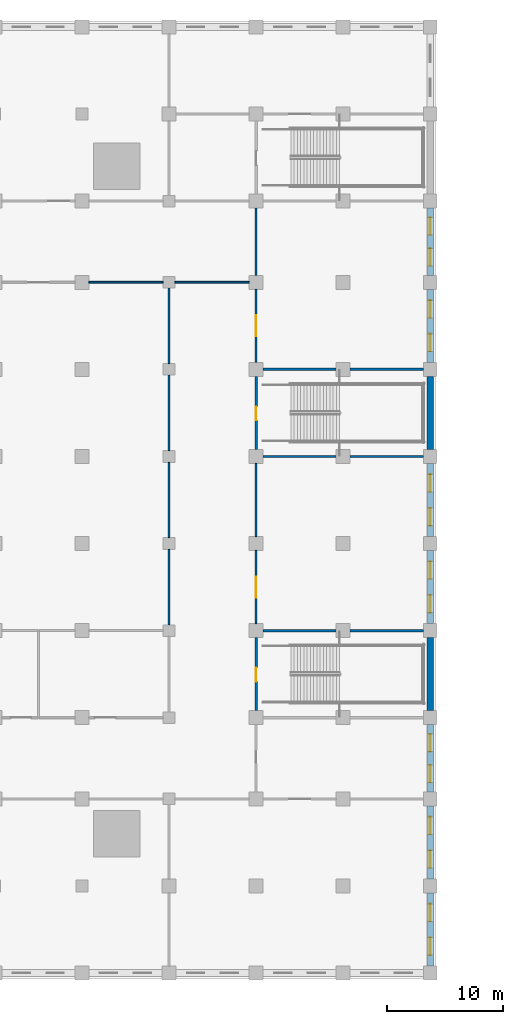
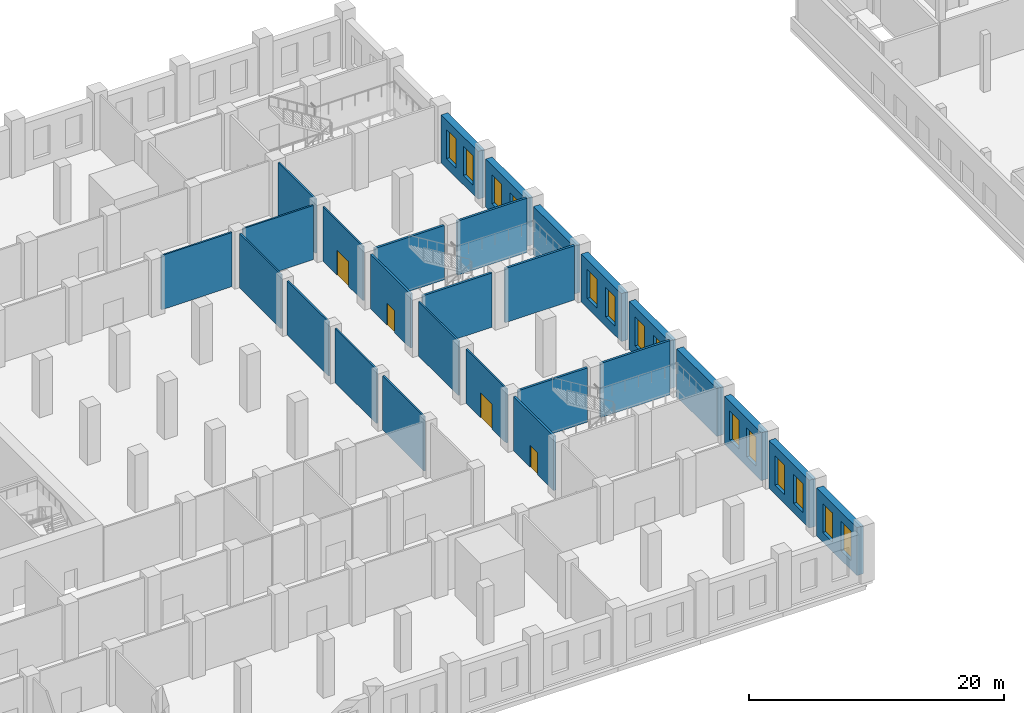
# One storey, part 8 of 25: 27 walls, 14 windows, 4 doors, 18 openings.
"""IFC4 building model written with IfcOpenShell, lengths in metres."""

from ifc_helpers import new_model, si_unit, direction, frame, frame_2d, origin, place, context, subcontext, project, spatial, rectangle, extrude, material, layer, layer_set, type_object, element, fill, save


model = new_model("IFC4")

# Units and contexts
model_context = context("Model", 3, precision=1e-05, world=origin(), true_north=direction((0.0, 1.0)))
body_context = subcontext(model_context, "Body", "Model", "MODEL_VIEW")
ifc_project = project(units=[si_unit("LENGTHUNIT", "METRE"), si_unit("AREAUNIT", "SQUARE_METRE"), si_unit("VOLUMEUNIT", "CUBIC_METRE"), si_unit("PLANEANGLEUNIT", "RADIAN"), si_unit("MASSUNIT", "GRAM", prefix="KILO")], contexts=[model_context])

# Site, building, storey
site_placement = place(None, origin())
site = spatial("IfcSite", under=ifc_project, at=site_placement, CompositionType="ELEMENT")
building_placement = place(site_placement, origin())
building = spatial("IfcBuilding", under=site, at=building_placement, Name="Tamorin Gate", CompositionType="ELEMENT")
storey_placement = place(building_placement, frame((0.0, 0.0, 23.5)))
storey = spatial("IfcBuildingStorey", under=building, at=storey_placement, Name="L04", CompositionType="ELEMENT", Elevation=23.5)

# Walls
ifc_material_1 = material(Name="Concrete masonry C20/25", Category="masonry")
ifc_layer_1 = layer(ifc_material_1, 0.14990234375)
ifc_layer_set_1 = layer_set([ifc_layer_1], Name="Partition 150")
wall_type_1 = type_object("IfcWallType", Name="Partition 150", PredefinedType="PARTITIONING", material=ifc_layer_set_1)
for number, where, z_axis, x_axis, name in (
    (1, (82.60009765625, 90.0, 0.0), (0.0, 0.0, 1.0), (1.0, 0.0, 0.0), "Partition 150 L04"),
    (2, (90.0, 90.0, 0.0), (0.0, 0.0, 1.0), (1.0, 0.0, 0.0), "Partition 150 L04"),
):
    element("IfcWall", number, at=place(storey_placement, frame(where, z_axis=z_axis, x_axis=x_axis)), inside=storey, type_object=wall_type_1, Name=name, PredefinedType="PARTITIONING", context=body_context, shape_type="SweptSolid", body=[
        extrude(rectangle(XDim=6.39990234375, YDim=0.14990234375, at=frame_2d((3.199951171875, 0.0))), origin(), (0.0, 0.0, 1.0), 5.199951171875),
    ])

# Wall, opening, door
wall_1_placement = place(storey_placement, frame((97.0, 60.60009765625, 0.0), z_axis=(0.0, 0.0, 1.0), x_axis=(0.0, 1.0, 0.0)))
wall_1 = element("IfcWall", 3, at=wall_1_placement, inside=storey, type_object=wall_type_1, Name="Partition 150 L04", PredefinedType="PARTITIONING", context=body_context, shape_type="SweptSolid", body=[
    extrude(rectangle(XDim=6.2998046875, YDim=0.14990234375, at=frame_2d((3.14990234375, 0.0))), origin(), (0.0, 0.0, 1.0), 5.199951171875),
])
opening_1_placement = place(wall_1_placement, frame((2.25, 0.0, 0.0)))
opening_1 = element("IfcOpeningElement", 4, at=opening_1_placement, cuts=wall_1, Name="Opening DP3", PredefinedType="OPENING", context=body_context, shape_type="SweptSolid", body=[
    extrude(rectangle(XDim=1.800048828125, YDim=2.39990234375, at=frame_2d((0.89990234375, 1.199951171875))), frame((0.0, 0.0849609375, 0.0), z_axis=(0.0, -1.0, 0.0), x_axis=(1.0, 0.0, 0.0)), (0.0, 0.0, 1.0), 0.169921875),
])
ifc_material_2 = material(Name="Steel and glass", Category="steel")
door_type_1 = type_object("IfcDoorType", Name="Door pair 1800", OperationType="DOUBLE_DOOR_SINGLE_SWING", PredefinedType="DOOR", material=ifc_material_2)
door_1_placement = place(opening_1_placement, origin())
door_1 = element("IfcDoor", 5, at=door_1_placement, inside=storey, type_object=door_type_1, Name="Door pair 1800 L04", OperationType="SINGLE_SWING_LEFT", OverallHeight=2.39990234375, OverallWidth=1.800048828125, PredefinedType="DOOR", context=body_context, shape_type="SweptSolid", body=[
    extrude(rectangle(XDim=1.800048828125, YDim=2.39990234375, at=frame_2d((0.89990234375, 1.199951171875))), frame((0.0, 0.02490234375, 0.0), z_axis=(0.0, -1.0, 0.0), x_axis=(1.0, 0.0, 0.0)), (0.0, 0.0, 1.0), 0.050048828125),
])
fill(opening_1, door_1)

# Wall
wall_2_placement = place(storey_placement, frame((97.0, 68.10009765625, 0.0), z_axis=(0.0, 0.0, 1.0), x_axis=(0.0, 1.0, 0.0)))
element("IfcWall", 6, at=wall_2_placement, inside=storey, type_object=wall_type_1, Name="Partition 150 L04", PredefinedType="PARTITIONING", context=body_context, shape_type="SweptSolid", body=[
    extrude(rectangle(XDim=6.2998046875, YDim=0.14990234375, at=frame_2d((3.14990234375, 0.0))), origin(), (0.0, 0.0, 1.0), 5.199951171875),
])

# Wall, opening, door
wall_3_placement = place(storey_placement, frame((97.0, 83.10009765625, 0.0), z_axis=(0.0, 0.0, 1.0), x_axis=(0.0, 1.0, 0.0)))
wall_3 = element("IfcWall", 7, at=wall_3_placement, inside=storey, type_object=wall_type_1, Name="Partition 150 L04", PredefinedType="PARTITIONING", context=body_context, shape_type="SweptSolid", body=[
    extrude(rectangle(XDim=6.2998046875, YDim=0.14990234375, at=frame_2d((3.14990234375, 0.0))), origin(), (0.0, 0.0, 1.0), 5.199951171875),
])
opening_2_placement = place(wall_3_placement, frame((2.25, 0.0, 0.0)))
opening_2 = element("IfcOpeningElement", 8, at=opening_2_placement, cuts=wall_3, Name="Opening DP3", PredefinedType="OPENING", context=body_context, shape_type="SweptSolid", body=[
    extrude(rectangle(XDim=1.800048828125, YDim=2.39990234375, at=frame_2d((0.89990234375, 1.199951171875))), frame((0.0, 0.0849609375, 0.0), z_axis=(0.0, -1.0, 0.0), x_axis=(1.0, 0.0, 0.0)), (0.0, 0.0, 1.0), 0.169921875),
])
door_2_placement = place(opening_2_placement, origin())
door_2 = element("IfcDoor", 9, at=door_2_placement, inside=storey, type_object=door_type_1, Name="Door pair 1800 L04", OperationType="SINGLE_SWING_LEFT", OverallHeight=2.39990234375, OverallWidth=1.800048828125, PredefinedType="DOOR", context=body_context, shape_type="SweptSolid", body=[
    extrude(rectangle(XDim=1.800048828125, YDim=2.39990234375, at=frame_2d((0.89990234375, 1.199951171875))), frame((0.0, 0.02490234375, 0.0), z_axis=(0.0, -1.0, 0.0), x_axis=(1.0, 0.0, 0.0)), (0.0, 0.0, 1.0), 0.050048828125),
])
fill(opening_2, door_2)

# Walls
wall_4_placement = place(storey_placement, frame((97.0, 90.60009765625, 0.0), z_axis=(0.0, 0.0, 1.0), x_axis=(0.0, 1.0, 0.0)))
element("IfcWall", 10, at=wall_4_placement, inside=storey, type_object=wall_type_1, Name="Partition 150 L04", PredefinedType="PARTITIONING", context=body_context, shape_type="SweptSolid", body=[
    extrude(rectangle(XDim=5.7998046875, YDim=0.14990234375, at=frame_2d((2.89990234375, 0.0))), origin(), (0.0, 0.0, 1.0), 5.199951171875),
])
for number, where, z_axis, x_axis, name in (
    (11, (89.5, 60.5, 0.0), (0.0, 0.0, 1.0), (0.0, 1.0, 0.0), "Partition 150 L04"),
    (12, (89.5, 68.0, 0.0), (0.0, 0.0, 1.0), (0.0, 1.0, 0.0), "Partition 150 L04"),
    (13, (89.5, 75.5, 0.0), (0.0, 0.0, 1.0), (0.0, 1.0, 0.0), "Partition 150 L04"),
    (14, (89.5, 83.0, 0.0), (0.0, 0.0, 1.0), (0.0, 1.0, 0.0), "Partition 150 L04"),
):
    element("IfcWall", number, at=place(storey_placement, frame(where, z_axis=z_axis, x_axis=x_axis)), inside=storey, type_object=wall_type_1, Name=name, PredefinedType="PARTITIONING", context=body_context, shape_type="SweptSolid", body=[
        extrude(rectangle(XDim=6.5, YDim=0.14990234375, at=frame_2d((3.25, 0.0))), origin(), (0.0, 0.0, 1.0), 5.199951171875),
    ])

# Wall, openings, windows
ifc_material_3 = material(Name="Precast concrete C40/50", Category="concrete")
ifc_layer_2 = layer(ifc_material_3, 0.60009765625)
ifc_layer_set_2 = layer_set([ifc_layer_2], Name="Precast concrete C40/50")
wall_type_2 = type_object("IfcWallType", Name="Precast plinth wall 600", PredefinedType="PARTITIONING", material=ifc_layer_set_2)
wall_5_placement = place(storey_placement, frame((112.0, 31.10009765625, 0.0), z_axis=(0.0, 0.0, 1.0), x_axis=(0.0, 1.0, 0.0)))
wall_5 = element("IfcWall", 15, at=wall_5_placement, inside=storey, type_object=wall_type_2, Name="Precast plinth wall 600 L04", PredefinedType="PARTITIONING", context=body_context, shape_type="SweptSolid", body=[
    extrude(rectangle(XDim=6.2998046875, YDim=0.60009765625, at=frame_2d((3.14990234375, 0.0))), origin(), (0.0, 0.0, 1.0), 4.60009765625),
])
opening_3_placement = place(wall_5_placement, frame((0.950927734375, 0.0, 0.89990234375)))
opening_3 = element("IfcOpeningElement", 16, at=opening_3_placement, cuts=wall_5, Name="Opening PWN5", PredefinedType="OPENING", context=body_context, shape_type="SweptSolid", body=[
    extrude(rectangle(XDim=1.5, YDim=2.800048828125, at=frame_2d((0.75, 1.39990234375))), frame((0.0, 0.31005859375, 0.0), z_axis=(0.0, -1.0, 0.0), x_axis=(1.0, 0.0, 0.0)), (0.0, 0.0, 1.0), 0.6201171875),
])
opening_4_placement = place(wall_5_placement, frame((3.84912109375, 0.0, 0.89990234375)))
opening_4 = element("IfcOpeningElement", 17, at=opening_4_placement, cuts=wall_5, Name="Opening PWN5", PredefinedType="OPENING", context=body_context, shape_type="SweptSolid", body=[
    extrude(rectangle(XDim=1.5, YDim=2.800048828125, at=frame_2d((0.75, 1.39990234375))), frame((0.0, 0.31005859375, 0.0), z_axis=(0.0, -1.0, 0.0), x_axis=(1.0, 0.0, 0.0)), (0.0, 0.0, 1.0), 0.6201171875),
])
ifc_material_4 = material(Name="Aluminium and glass", Category="aluminium")
window_type = type_object("IfcWindowType", Name="Plinth window 1500x2800", PartitioningType="DOUBLE_PANEL_VERTICAL", PredefinedType="WINDOW", material=ifc_material_4)
window_1_placement = place(opening_3_placement, origin())
window_1 = element("IfcWindow", 18, at=window_1_placement, inside=storey, type_object=window_type, Name="Plinth window 1500x2800", OverallHeight=2.800048828125, OverallWidth=1.5, PartitioningType="SINGLE_PANEL", PredefinedType="WINDOW", context=body_context, shape_type="SweptSolid", body=[
    extrude(rectangle(XDim=1.5, YDim=2.800048828125, at=frame_2d((0.75, 1.39990234375))), frame((0.0, 0.030029296875, 0.0), z_axis=(0.0, -1.0, 0.0), x_axis=(1.0, 0.0, 0.0)), (0.0, 0.0, 1.0), 0.06005859375),
])
fill(opening_3, window_1)
window_2_placement = place(opening_4_placement, origin())
window_2 = element("IfcWindow", 19, at=window_2_placement, inside=storey, type_object=window_type, Name="Plinth window 1500x2800", OverallHeight=2.800048828125, OverallWidth=1.5, PartitioningType="SINGLE_PANEL", PredefinedType="WINDOW", context=body_context, shape_type="SweptSolid", body=[
    extrude(rectangle(XDim=1.5, YDim=2.800048828125, at=frame_2d((0.75, 1.39990234375))), frame((0.0, 0.030029296875, 0.0), z_axis=(0.0, -1.0, 0.0), x_axis=(1.0, 0.0, 0.0)), (0.0, 0.0, 1.0), 0.06005859375),
])
fill(opening_4, window_2)

wall_6_placement = place(storey_placement, frame((112.0, 38.60009765625, 0.0), z_axis=(0.0, 0.0, 1.0), x_axis=(0.0, 1.0, 0.0)))
wall_6 = element("IfcWall", 20, at=wall_6_placement, inside=storey, type_object=wall_type_2, Name="Precast plinth wall 600 L04", PredefinedType="PARTITIONING", context=body_context, shape_type="SweptSolid", body=[
    extrude(rectangle(XDim=6.2998046875, YDim=0.60009765625, at=frame_2d((3.14990234375, 0.0))), origin(), (0.0, 0.0, 1.0), 4.60009765625),
])
opening_5_placement = place(wall_6_placement, frame((0.950927734375, 0.0, 0.89990234375)))
opening_5 = element("IfcOpeningElement", 21, at=opening_5_placement, cuts=wall_6, Name="Opening PWN5", PredefinedType="OPENING", context=body_context, shape_type="SweptSolid", body=[
    extrude(rectangle(XDim=1.5, YDim=2.800048828125, at=frame_2d((0.75, 1.39990234375))), frame((0.0, 0.31005859375, 0.0), z_axis=(0.0, -1.0, 0.0), x_axis=(1.0, 0.0, 0.0)), (0.0, 0.0, 1.0), 0.6201171875),
])
opening_6_placement = place(wall_6_placement, frame((3.84912109375, 0.0, 0.89990234375)))
opening_6 = element("IfcOpeningElement", 22, at=opening_6_placement, cuts=wall_6, Name="Opening PWN5", PredefinedType="OPENING", context=body_context, shape_type="SweptSolid", body=[
    extrude(rectangle(XDim=1.5, YDim=2.800048828125, at=frame_2d((0.75, 1.39990234375))), frame((0.0, 0.31005859375, 0.0), z_axis=(0.0, -1.0, 0.0), x_axis=(1.0, 0.0, 0.0)), (0.0, 0.0, 1.0), 0.6201171875),
])
window_3_placement = place(opening_5_placement, origin())
window_3 = element("IfcWindow", 23, at=window_3_placement, inside=storey, type_object=window_type, Name="Plinth window 1500x2800", OverallHeight=2.800048828125, OverallWidth=1.5, PartitioningType="SINGLE_PANEL", PredefinedType="WINDOW", context=body_context, shape_type="SweptSolid", body=[
    extrude(rectangle(XDim=1.5, YDim=2.800048828125, at=frame_2d((0.75, 1.39990234375))), frame((0.0, 0.030029296875, 0.0), z_axis=(0.0, -1.0, 0.0), x_axis=(1.0, 0.0, 0.0)), (0.0, 0.0, 1.0), 0.06005859375),
])
fill(opening_5, window_3)
window_4_placement = place(opening_6_placement, origin())
window_4 = element("IfcWindow", 24, at=window_4_placement, inside=storey, type_object=window_type, Name="Plinth window 1500x2800", OverallHeight=2.800048828125, OverallWidth=1.5, PartitioningType="SINGLE_PANEL", PredefinedType="WINDOW", context=body_context, shape_type="SweptSolid", body=[
    extrude(rectangle(XDim=1.5, YDim=2.800048828125, at=frame_2d((0.75, 1.39990234375))), frame((0.0, 0.030029296875, 0.0), z_axis=(0.0, -1.0, 0.0), x_axis=(1.0, 0.0, 0.0)), (0.0, 0.0, 1.0), 0.06005859375),
])
fill(opening_6, window_4)

wall_7_placement = place(storey_placement, frame((112.0, 46.10009765625, 0.0), z_axis=(0.0, 0.0, 1.0), x_axis=(0.0, 1.0, 0.0)))
wall_7 = element("IfcWall", 25, at=wall_7_placement, inside=storey, type_object=wall_type_2, Name="Precast plinth wall 600 L04", PredefinedType="PARTITIONING", context=body_context, shape_type="SweptSolid", body=[
    extrude(rectangle(XDim=5.7998046875, YDim=0.60009765625, at=frame_2d((2.89990234375, 0.0))), origin(), (0.0, 0.0, 1.0), 4.60009765625),
])
opening_7_placement = place(wall_7_placement, frame((0.81591796875, 0.0, 0.89990234375)))
opening_7 = element("IfcOpeningElement", 26, at=opening_7_placement, cuts=wall_7, Name="Opening PWN5", PredefinedType="OPENING", context=body_context, shape_type="SweptSolid", body=[
    extrude(rectangle(XDim=1.5, YDim=2.800048828125, at=frame_2d((0.75, 1.39990234375))), frame((0.0, 0.31005859375, 0.0), z_axis=(0.0, -1.0, 0.0), x_axis=(1.0, 0.0, 0.0)), (0.0, 0.0, 1.0), 0.6201171875),
])
opening_8_placement = place(wall_7_placement, frame((3.48388671875, 0.0, 0.89990234375)))
opening_8 = element("IfcOpeningElement", 27, at=opening_8_placement, cuts=wall_7, Name="Opening PWN5", PredefinedType="OPENING", context=body_context, shape_type="SweptSolid", body=[
    extrude(rectangle(XDim=1.5, YDim=2.800048828125, at=frame_2d((0.75, 1.39990234375))), frame((0.0, 0.31005859375, 0.0), z_axis=(0.0, -1.0, 0.0), x_axis=(1.0, 0.0, 0.0)), (0.0, 0.0, 1.0), 0.6201171875),
])
window_5_placement = place(opening_7_placement, origin())
window_5 = element("IfcWindow", 28, at=window_5_placement, inside=storey, type_object=window_type, Name="Plinth window 1500x2800", OverallHeight=2.800048828125, OverallWidth=1.5, PartitioningType="SINGLE_PANEL", PredefinedType="WINDOW", context=body_context, shape_type="SweptSolid", body=[
    extrude(rectangle(XDim=1.5, YDim=2.800048828125, at=frame_2d((0.75, 1.39990234375))), frame((0.0, 0.030029296875, 0.0), z_axis=(0.0, -1.0, 0.0), x_axis=(1.0, 0.0, 0.0)), (0.0, 0.0, 1.0), 0.06005859375),
])
fill(opening_7, window_5)
window_6_placement = place(opening_8_placement, origin())
window_6 = element("IfcWindow", 29, at=window_6_placement, inside=storey, type_object=window_type, Name="Plinth window 1500x2800", OverallHeight=2.800048828125, OverallWidth=1.5, PartitioningType="SINGLE_PANEL", PredefinedType="WINDOW", context=body_context, shape_type="SweptSolid", body=[
    extrude(rectangle(XDim=1.5, YDim=2.800048828125, at=frame_2d((0.75, 1.39990234375))), frame((0.0, 0.030029296875, 0.0), z_axis=(0.0, -1.0, 0.0), x_axis=(1.0, 0.0, 0.0)), (0.0, 0.0, 1.0), 0.06005859375),
])
fill(opening_8, window_6)

# Wall
wall_8_placement = place(storey_placement, frame((112.0, 53.10009765625, 0.0), z_axis=(0.0, 0.0, 1.0), x_axis=(0.0, 1.0, 0.0)))
element("IfcWall", 30, at=wall_8_placement, inside=storey, type_object=wall_type_2, Name="Precast plinth wall 600 L04", PredefinedType="PARTITIONING", context=body_context, shape_type="SweptSolid", body=[
    extrude(rectangle(XDim=6.2998046875, YDim=0.60009765625, at=frame_2d((3.14990234375, 0.0))), origin(), (0.0, 0.0, 1.0), 4.60009765625),
])

# Wall, openings, windows
wall_9_placement = place(storey_placement, frame((112.0, 60.60009765625, 0.0), z_axis=(0.0, 0.0, 1.0), x_axis=(0.0, 1.0, 0.0)))
wall_9 = element("IfcWall", 31, at=wall_9_placement, inside=storey, type_object=wall_type_2, Name="Precast plinth wall 600 L04", PredefinedType="PARTITIONING", context=body_context, shape_type="SweptSolid", body=[
    extrude(rectangle(XDim=6.2998046875, YDim=0.60009765625, at=frame_2d((3.14990234375, 0.0))), origin(), (0.0, 0.0, 1.0), 4.60009765625),
])
opening_9_placement = place(wall_9_placement, frame((0.950927734375, 0.0, 0.89990234375)))
opening_9 = element("IfcOpeningElement", 32, at=opening_9_placement, cuts=wall_9, Name="Opening PWN5", PredefinedType="OPENING", context=body_context, shape_type="SweptSolid", body=[
    extrude(rectangle(XDim=1.5, YDim=2.800048828125, at=frame_2d((0.75, 1.39990234375))), frame((0.0, 0.31005859375, 0.0), z_axis=(0.0, -1.0, 0.0), x_axis=(1.0, 0.0, 0.0)), (0.0, 0.0, 1.0), 0.6201171875),
])
opening_10_placement = place(wall_9_placement, frame((3.84912109375, 0.0, 0.89990234375)))
opening_10 = element("IfcOpeningElement", 33, at=opening_10_placement, cuts=wall_9, Name="Opening PWN5", PredefinedType="OPENING", context=body_context, shape_type="SweptSolid", body=[
    extrude(rectangle(XDim=1.5, YDim=2.800048828125, at=frame_2d((0.75, 1.39990234375))), frame((0.0, 0.31005859375, 0.0), z_axis=(0.0, -1.0, 0.0), x_axis=(1.0, 0.0, 0.0)), (0.0, 0.0, 1.0), 0.6201171875),
])
window_7_placement = place(opening_9_placement, origin())
window_7 = element("IfcWindow", 34, at=window_7_placement, inside=storey, type_object=window_type, Name="Plinth window 1500x2800", OverallHeight=2.800048828125, OverallWidth=1.5, PartitioningType="SINGLE_PANEL", PredefinedType="WINDOW", context=body_context, shape_type="SweptSolid", body=[
    extrude(rectangle(XDim=1.5, YDim=2.800048828125, at=frame_2d((0.75, 1.39990234375))), frame((0.0, 0.030029296875, 0.0), z_axis=(0.0, -1.0, 0.0), x_axis=(1.0, 0.0, 0.0)), (0.0, 0.0, 1.0), 0.06005859375),
])
fill(opening_9, window_7)
window_8_placement = place(opening_10_placement, origin())
window_8 = element("IfcWindow", 35, at=window_8_placement, inside=storey, type_object=window_type, Name="Plinth window 1500x2800", OverallHeight=2.800048828125, OverallWidth=1.5, PartitioningType="SINGLE_PANEL", PredefinedType="WINDOW", context=body_context, shape_type="SweptSolid", body=[
    extrude(rectangle(XDim=1.5, YDim=2.800048828125, at=frame_2d((0.75, 1.39990234375))), frame((0.0, 0.030029296875, 0.0), z_axis=(0.0, -1.0, 0.0), x_axis=(1.0, 0.0, 0.0)), (0.0, 0.0, 1.0), 0.06005859375),
])
fill(opening_10, window_8)

wall_10_placement = place(storey_placement, frame((112.0, 68.10009765625, 0.0), z_axis=(0.0, 0.0, 1.0), x_axis=(0.0, 1.0, 0.0)))
wall_10 = element("IfcWall", 36, at=wall_10_placement, inside=storey, type_object=wall_type_2, Name="Precast plinth wall 600 L04", PredefinedType="PARTITIONING", context=body_context, shape_type="SweptSolid", body=[
    extrude(rectangle(XDim=6.2998046875, YDim=0.60009765625, at=frame_2d((3.14990234375, 0.0))), origin(), (0.0, 0.0, 1.0), 4.60009765625),
])
opening_11_placement = place(wall_10_placement, frame((0.950927734375, 0.0, 0.89990234375)))
opening_11 = element("IfcOpeningElement", 37, at=opening_11_placement, cuts=wall_10, Name="Opening PWN5", PredefinedType="OPENING", context=body_context, shape_type="SweptSolid", body=[
    extrude(rectangle(XDim=1.5, YDim=2.800048828125, at=frame_2d((0.75, 1.39990234375))), frame((0.0, 0.31005859375, 0.0), z_axis=(0.0, -1.0, 0.0), x_axis=(1.0, 0.0, 0.0)), (0.0, 0.0, 1.0), 0.6201171875),
])
opening_12_placement = place(wall_10_placement, frame((3.84912109375, 0.0, 0.89990234375)))
opening_12 = element("IfcOpeningElement", 38, at=opening_12_placement, cuts=wall_10, Name="Opening PWN5", PredefinedType="OPENING", context=body_context, shape_type="SweptSolid", body=[
    extrude(rectangle(XDim=1.5, YDim=2.800048828125, at=frame_2d((0.75, 1.39990234375))), frame((0.0, 0.31005859375, 0.0), z_axis=(0.0, -1.0, 0.0), x_axis=(1.0, 0.0, 0.0)), (0.0, 0.0, 1.0), 0.6201171875),
])
window_9_placement = place(opening_11_placement, origin())
window_9 = element("IfcWindow", 39, at=window_9_placement, inside=storey, type_object=window_type, Name="Plinth window 1500x2800", OverallHeight=2.800048828125, OverallWidth=1.5, PartitioningType="SINGLE_PANEL", PredefinedType="WINDOW", context=body_context, shape_type="SweptSolid", body=[
    extrude(rectangle(XDim=1.5, YDim=2.800048828125, at=frame_2d((0.75, 1.39990234375))), frame((0.0, 0.030029296875, 0.0), z_axis=(0.0, -1.0, 0.0), x_axis=(1.0, 0.0, 0.0)), (0.0, 0.0, 1.0), 0.06005859375),
])
fill(opening_11, window_9)
window_10_placement = place(opening_12_placement, origin())
window_10 = element("IfcWindow", 40, at=window_10_placement, inside=storey, type_object=window_type, Name="Plinth window 1500x2800", OverallHeight=2.800048828125, OverallWidth=1.5, PartitioningType="SINGLE_PANEL", PredefinedType="WINDOW", context=body_context, shape_type="SweptSolid", body=[
    extrude(rectangle(XDim=1.5, YDim=2.800048828125, at=frame_2d((0.75, 1.39990234375))), frame((0.0, 0.030029296875, 0.0), z_axis=(0.0, -1.0, 0.0), x_axis=(1.0, 0.0, 0.0)), (0.0, 0.0, 1.0), 0.06005859375),
])
fill(opening_12, window_10)

# Wall
wall_11_placement = place(storey_placement, frame((112.0, 75.60009765625, 0.0), z_axis=(0.0, 0.0, 1.0), x_axis=(0.0, 1.0, 0.0)))
element("IfcWall", 41, at=wall_11_placement, inside=storey, type_object=wall_type_2, Name="Precast plinth wall 600 L04", PredefinedType="PARTITIONING", context=body_context, shape_type="SweptSolid", body=[
    extrude(rectangle(XDim=6.2998046875, YDim=0.60009765625, at=frame_2d((3.14990234375, 0.0))), origin(), (0.0, 0.0, 1.0), 4.60009765625),
])

# Wall, openings, windows
wall_12_placement = place(storey_placement, frame((112.0, 83.10009765625, 0.0), z_axis=(0.0, 0.0, 1.0), x_axis=(0.0, 1.0, 0.0)))
wall_12 = element("IfcWall", 42, at=wall_12_placement, inside=storey, type_object=wall_type_2, Name="Precast plinth wall 600 L04", PredefinedType="PARTITIONING", context=body_context, shape_type="SweptSolid", body=[
    extrude(rectangle(XDim=6.2998046875, YDim=0.60009765625, at=frame_2d((3.14990234375, 0.0))), origin(), (0.0, 0.0, 1.0), 4.60009765625),
])
opening_13_placement = place(wall_12_placement, frame((0.950927734375, 0.0, 0.89990234375)))
opening_13 = element("IfcOpeningElement", 43, at=opening_13_placement, cuts=wall_12, Name="Opening PWN5", PredefinedType="OPENING", context=body_context, shape_type="SweptSolid", body=[
    extrude(rectangle(XDim=1.5, YDim=2.800048828125, at=frame_2d((0.75, 1.39990234375))), frame((0.0, 0.31005859375, 0.0), z_axis=(0.0, -1.0, 0.0), x_axis=(1.0, 0.0, 0.0)), (0.0, 0.0, 1.0), 0.6201171875),
])
opening_14_placement = place(wall_12_placement, frame((3.84912109375, 0.0, 0.89990234375)))
opening_14 = element("IfcOpeningElement", 44, at=opening_14_placement, cuts=wall_12, Name="Opening PWN5", PredefinedType="OPENING", context=body_context, shape_type="SweptSolid", body=[
    extrude(rectangle(XDim=1.5, YDim=2.800048828125, at=frame_2d((0.75, 1.39990234375))), frame((0.0, 0.31005859375, 0.0), z_axis=(0.0, -1.0, 0.0), x_axis=(1.0, 0.0, 0.0)), (0.0, 0.0, 1.0), 0.6201171875),
])
window_11_placement = place(opening_13_placement, origin())
window_11 = element("IfcWindow", 45, at=window_11_placement, inside=storey, type_object=window_type, Name="Plinth window 1500x2800", OverallHeight=2.800048828125, OverallWidth=1.5, PartitioningType="SINGLE_PANEL", PredefinedType="WINDOW", context=body_context, shape_type="SweptSolid", body=[
    extrude(rectangle(XDim=1.5, YDim=2.800048828125, at=frame_2d((0.75, 1.39990234375))), frame((0.0, 0.030029296875, 0.0), z_axis=(0.0, -1.0, 0.0), x_axis=(1.0, 0.0, 0.0)), (0.0, 0.0, 1.0), 0.06005859375),
])
fill(opening_13, window_11)
window_12_placement = place(opening_14_placement, origin())
window_12 = element("IfcWindow", 46, at=window_12_placement, inside=storey, type_object=window_type, Name="Plinth window 1500x2800", OverallHeight=2.800048828125, OverallWidth=1.5, PartitioningType="SINGLE_PANEL", PredefinedType="WINDOW", context=body_context, shape_type="SweptSolid", body=[
    extrude(rectangle(XDim=1.5, YDim=2.800048828125, at=frame_2d((0.75, 1.39990234375))), frame((0.0, 0.030029296875, 0.0), z_axis=(0.0, -1.0, 0.0), x_axis=(1.0, 0.0, 0.0)), (0.0, 0.0, 1.0), 0.06005859375),
])
fill(opening_14, window_12)

wall_13_placement = place(storey_placement, frame((112.0, 90.60009765625, 0.0), z_axis=(0.0, 0.0, 1.0), x_axis=(0.0, 1.0, 0.0)))
wall_13 = element("IfcWall", 47, at=wall_13_placement, inside=storey, type_object=wall_type_2, Name="Precast plinth wall 600 L04", PredefinedType="PARTITIONING", context=body_context, shape_type="SweptSolid", body=[
    extrude(rectangle(XDim=5.7998046875, YDim=0.60009765625, at=frame_2d((2.89990234375, 0.0))), origin(), (0.0, 0.0, 1.0), 4.60009765625),
])
opening_15_placement = place(wall_13_placement, frame((0.81591796875, 0.0, 0.89990234375)))
opening_15 = element("IfcOpeningElement", 48, at=opening_15_placement, cuts=wall_13, Name="Opening PWN5", PredefinedType="OPENING", context=body_context, shape_type="SweptSolid", body=[
    extrude(rectangle(XDim=1.5, YDim=2.800048828125, at=frame_2d((0.75, 1.39990234375))), frame((0.0, 0.31005859375, 0.0), z_axis=(0.0, -1.0, 0.0), x_axis=(1.0, 0.0, 0.0)), (0.0, 0.0, 1.0), 0.6201171875),
])
opening_16_placement = place(wall_13_placement, frame((3.48388671875, 0.0, 0.89990234375)))
opening_16 = element("IfcOpeningElement", 49, at=opening_16_placement, cuts=wall_13, Name="Opening PWN5", PredefinedType="OPENING", context=body_context, shape_type="SweptSolid", body=[
    extrude(rectangle(XDim=1.5, YDim=2.800048828125, at=frame_2d((0.75, 1.39990234375))), frame((0.0, 0.31005859375, 0.0), z_axis=(0.0, -1.0, 0.0), x_axis=(1.0, 0.0, 0.0)), (0.0, 0.0, 1.0), 0.6201171875),
])
window_13_placement = place(opening_15_placement, origin())
window_13 = element("IfcWindow", 50, at=window_13_placement, inside=storey, type_object=window_type, Name="Plinth window 1500x2800", OverallHeight=2.800048828125, OverallWidth=1.5, PartitioningType="SINGLE_PANEL", PredefinedType="WINDOW", context=body_context, shape_type="SweptSolid", body=[
    extrude(rectangle(XDim=1.5, YDim=2.800048828125, at=frame_2d((0.75, 1.39990234375))), frame((0.0, 0.030029296875, 0.0), z_axis=(0.0, -1.0, 0.0), x_axis=(1.0, 0.0, 0.0)), (0.0, 0.0, 1.0), 0.06005859375),
])
fill(opening_15, window_13)
window_14_placement = place(opening_16_placement, origin())
window_14 = element("IfcWindow", 51, at=window_14_placement, inside=storey, type_object=window_type, Name="Plinth window 1500x2800", OverallHeight=2.800048828125, OverallWidth=1.5, PartitioningType="SINGLE_PANEL", PredefinedType="WINDOW", context=body_context, shape_type="SweptSolid", body=[
    extrude(rectangle(XDim=1.5, YDim=2.800048828125, at=frame_2d((0.75, 1.39990234375))), frame((0.0, 0.030029296875, 0.0), z_axis=(0.0, -1.0, 0.0), x_axis=(1.0, 0.0, 0.0)), (0.0, 0.0, 1.0), 0.06005859375),
])
fill(opening_16, window_14)

# Walls
ifc_material_5 = material(Name="Concrete C40/50", Category="concrete")
ifc_layer_3 = layer(ifc_material_5, 0.199951171875)
ifc_layer_set_3 = layer_set([ifc_layer_3], Name="Stair enclosure 200")
wall_type_3 = type_object("IfcWallType", Name="Stair enclosure 200", PredefinedType="SHEAR", material=ifc_layer_set_3)
for number, where, z_axis, x_axis, name in (
    (52, (97.60009765625, 60.0, 0.0), (0.0, 0.0, 1.0), (1.0, 0.0, 0.0), "Stair enclosure 200 L04"),
    (53, (105.10009765625, 60.0, 0.0), (0.0, 0.0, 1.0), (1.0, 0.0, 0.0), "Stair enclosure 200 L04"),
    (54, (97.60009765625, 75.0, 0.0), (0.0, 0.0, 1.0), (1.0, 0.0, 0.0), "Stair enclosure 200 L04"),
    (55, (105.10009765625, 75.0, 0.0), (0.0, 0.0, 1.0), (1.0, 0.0, 0.0), "Stair enclosure 200 L04"),
    (56, (97.60009765625, 82.5, 0.0), (0.0, 0.0, 1.0), (1.0, 0.0, 0.0), "Stair enclosure 200 L04"),
    (57, (105.10009765625, 82.5, 0.0), (0.0, 0.0, 1.0), (1.0, 0.0, 0.0), "Stair enclosure 200 L04"),
):
    element("IfcWall", number, at=place(storey_placement, frame(where, z_axis=z_axis, x_axis=x_axis)), inside=storey, type_object=wall_type_3, Name=name, PredefinedType="SHEAR", context=body_context, shape_type="SweptSolid", body=[
        extrude(rectangle(XDim=6.2998046875, YDim=0.199951171875, at=frame_2d((3.14990234375, 0.0))), origin(), (0.0, 0.0, 1.0), 5.199951171875),
    ])

# Wall, opening, door
wall_14_placement = place(storey_placement, frame((97.0, 59.39990234375, 0.0), z_axis=(0.0, 0.0, 1.0), x_axis=(0.0, -1.0, 0.0)))
wall_14 = element("IfcWall", 58, at=wall_14_placement, inside=storey, type_object=wall_type_3, Name="Stair enclosure 200 L04", PredefinedType="SHEAR", context=body_context, shape_type="SweptSolid", body=[
    extrude(rectangle(XDim=6.2998046875, YDim=0.199951171875, at=frame_2d((3.14990234375, 0.0))), origin(), (0.0, 0.0, 1.0), 5.199951171875),
])
opening_17_placement = place(wall_14_placement, frame((2.60009765625, 0.0, 0.0)))
opening_17 = element("IfcOpeningElement", 59, at=opening_17_placement, cuts=wall_14, Name="Opening DP5", PredefinedType="OPENING", context=body_context, shape_type="SweptSolid", body=[
    extrude(rectangle(XDim=1.199951171875, YDim=2.10009765625, at=frame_2d((0.60009765625, 1.050048828125))), frame((0.0, 0.10986328125, 0.0), z_axis=(0.0, -1.0, 0.0), x_axis=(1.0, 0.0, 0.0)), (0.0, 0.0, 1.0), 0.219970703125),
])
ifc_material_6 = material(Name="Painted steel", Category="steel")
door_type_2 = type_object("IfcDoorType", Name="Stair door 1200", OperationType="SINGLE_SWING_LEFT", PredefinedType="DOOR", material=ifc_material_6)
door_3_placement = place(opening_17_placement, origin())
door_3 = element("IfcDoor", 60, at=door_3_placement, inside=storey, type_object=door_type_2, Name="Stair door 1200 L04", OperationType="SINGLE_SWING_LEFT", OverallHeight=2.10009765625, OverallWidth=1.199951171875, PredefinedType="DOOR", context=body_context, shape_type="SweptSolid", body=[
    extrude(rectangle(XDim=1.199951171875, YDim=2.10009765625, at=frame_2d((0.60009765625, 1.050048828125))), frame((0.0, 0.02490234375, 0.0), z_axis=(0.0, -1.0, 0.0), x_axis=(1.0, 0.0, 0.0)), (0.0, 0.0, 1.0), 0.050048828125),
])
fill(opening_17, door_3)

wall_15_placement = place(storey_placement, frame((97.0, 81.89990234375, 0.0), z_axis=(0.0, 0.0, 1.0), x_axis=(0.0, -1.0, 0.0)))
wall_15 = element("IfcWall", 61, at=wall_15_placement, inside=storey, type_object=wall_type_3, Name="Stair enclosure 200 L04", PredefinedType="SHEAR", context=body_context, shape_type="SweptSolid", body=[
    extrude(rectangle(XDim=6.2998046875, YDim=0.199951171875, at=frame_2d((3.14990234375, 0.0))), origin(), (0.0, 0.0, 1.0), 5.199951171875),
])
opening_18_placement = place(wall_15_placement, frame((2.60009765625, 0.0, 0.0)))
opening_18 = element("IfcOpeningElement", 62, at=opening_18_placement, cuts=wall_15, Name="Opening DP5", PredefinedType="OPENING", context=body_context, shape_type="SweptSolid", body=[
    extrude(rectangle(XDim=1.199951171875, YDim=2.10009765625, at=frame_2d((0.60009765625, 1.050048828125))), frame((0.0, 0.10986328125, 0.0), z_axis=(0.0, -1.0, 0.0), x_axis=(1.0, 0.0, 0.0)), (0.0, 0.0, 1.0), 0.219970703125),
])
door_4_placement = place(opening_18_placement, origin())
door_4 = element("IfcDoor", 63, at=door_4_placement, inside=storey, type_object=door_type_2, Name="Stair door 1200 L04", OperationType="SINGLE_SWING_LEFT", OverallHeight=2.10009765625, OverallWidth=1.199951171875, PredefinedType="DOOR", context=body_context, shape_type="SweptSolid", body=[
    extrude(rectangle(XDim=1.199951171875, YDim=2.10009765625, at=frame_2d((0.60009765625, 1.050048828125))), frame((0.0, 0.02490234375, 0.0), z_axis=(0.0, -1.0, 0.0), x_axis=(1.0, 0.0, 0.0)), (0.0, 0.0, 1.0), 0.050048828125),
])
fill(opening_18, door_4)

save(model, "model.ifc")
